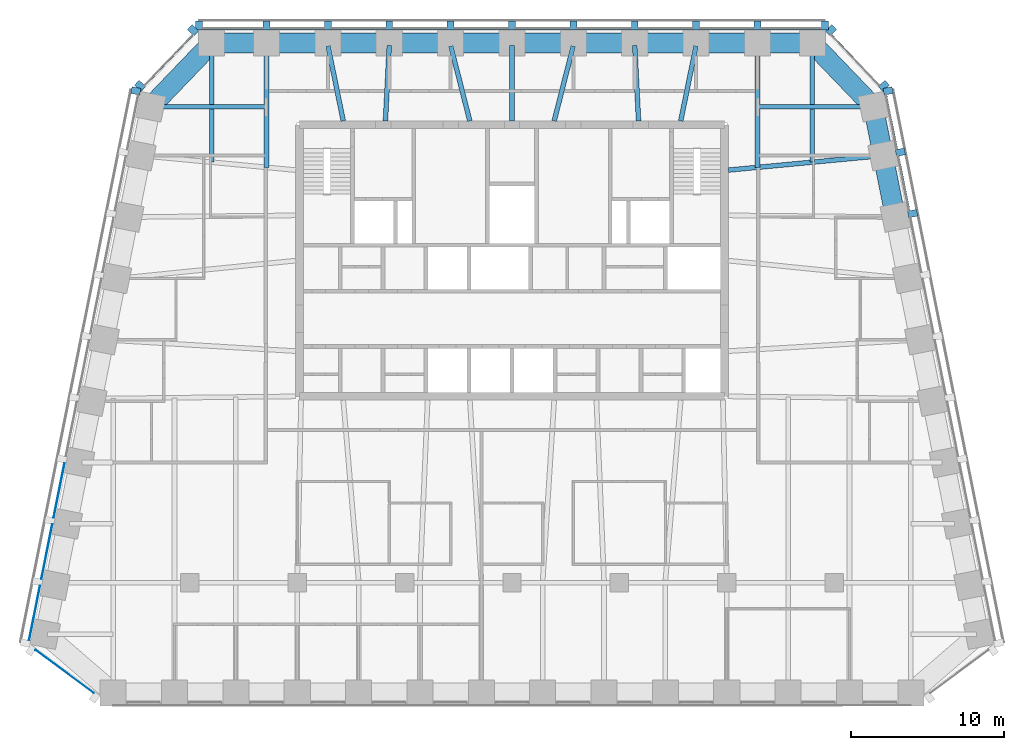
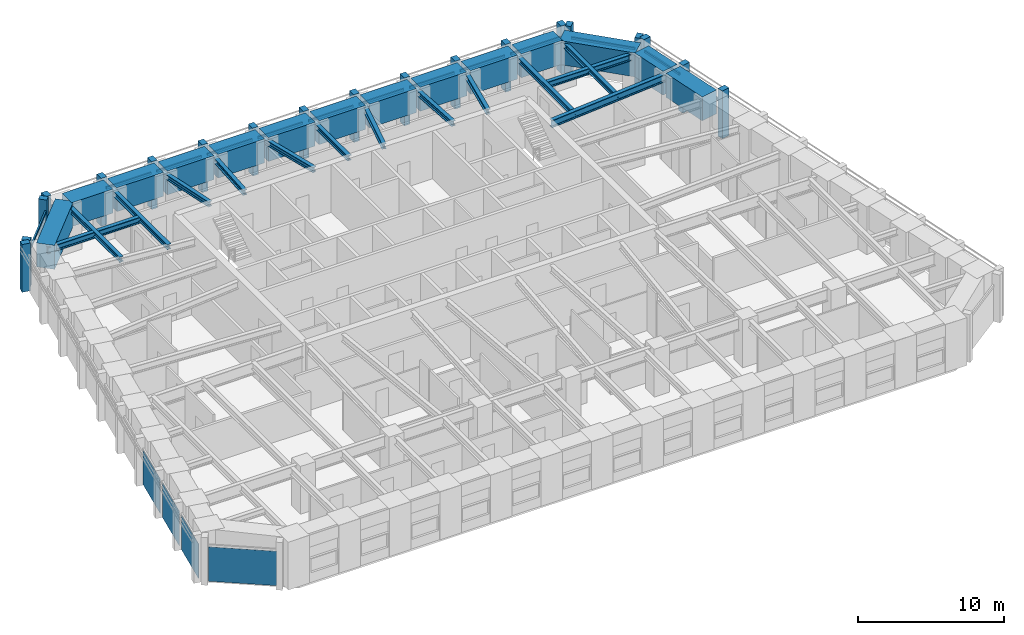
# One storey, part 3 of 11: 33 members, 28 beams, 4 plates, 6 elements without a shape of their own.
"""IFC4 building model written with IfcOpenShell, lengths in metres."""

import ifcopenshell
import ifcopenshell.guid

model = None  # the IFC model being written
_history = None  # IfcOwnerHistory: only IFC2X3 demands one
_inside = {}  # id of a spatial element -> (the spatial element, [elements in it])
_under = {}  # id of a project, library or spatial element -> (it, [spatial elements below it])
_declared = {}  # id of a project -> (the project, [libraries it declares])
_typed = {}  # id of a type object -> (the type object, [elements of that type])
_made_of = {}  # id of a material, layer set ... -> (it, [elements and type objects made of it])


def new_model(schema):
    """Start an empty IFC model of exactly this schema.

    Asked for "IFC4X3", IfcOpenShell would pick the latest addendum, in which some entities
    have other attributes; the version numbers below select the first issue.
    IFC2X3 requires an IfcOwnerHistory on every rooted entity: one is made here for all.
    """
    global model, _history
    if schema == "IFC4X3":
        model = ifcopenshell.file(schema_version=(4, 3, 0, 0))
    else:
        model = ifcopenshell.file(schema=schema)
    _inside.clear()
    _under.clear()
    _declared.clear()
    _typed.clear()
    _made_of.clear()
    _history = None
    if model.schema == "IFC2X3":
        org = make("IfcOrganization", Name="unknown")
        user = make(
            "IfcPersonAndOrganization",
            ThePerson=make("IfcPerson", FamilyName="unknown"),
            TheOrganization=org,
        )
        app = make(
            "IfcApplication",
            ApplicationDeveloper=org,
            Version="unknown",
            ApplicationFullName="unknown",
            ApplicationIdentifier="unknown",
        )
        _history = make(
            "IfcOwnerHistory",
            OwningUser=user,
            OwningApplication=app,
            ChangeAction="ADDED",
            CreationDate=0,
        )
    return model


def make(cls, **values):
    """One entity of the class cls with the attributes given. An attribute that is None is left unset."""
    return model.create_entity(
        cls, **{name: value for name, value in values.items() if value is not None}
    )


def rooted(cls, **values):
    """An entity with a GlobalId (a new one), such as an element, a storey or a relation."""
    return make(cls, GlobalId=ifcopenshell.guid.new(), OwnerHistory=_history, **values)


def si_unit(unit_type, name, prefix=None):
    """IfcSIUnit, for example si_unit("LENGTHUNIT", "METRE", prefix="MILLI")."""
    return make("IfcSIUnit", UnitType=unit_type, Prefix=prefix, Name=name)


def assignment(units):
    """IfcUnitAssignment: the units of a project."""
    return None if units is None else make("IfcUnitAssignment", Units=units)


def point(xyz):
    """IfcCartesianPoint."""
    return None if xyz is None else make("IfcCartesianPoint", Coordinates=xyz)


def direction(xyz):
    """IfcDirection."""
    return None if xyz is None else make("IfcDirection", DirectionRatios=xyz)


def frame(location, z_axis=None, x_axis=None):
    """IfcAxis2Placement3D, a coordinate frame: its origin and axes. An axis left out is left unset."""
    return make(
        "IfcAxis2Placement3D",
        Location=point(location),
        Axis=direction(z_axis),
        RefDirection=direction(x_axis),
    )


def frame_2d(location, x_axis=None):
    """IfcAxis2Placement2D, a coordinate frame in the plane: its origin and x axis."""
    return make(
        "IfcAxis2Placement2D", Location=point(location), RefDirection=direction(x_axis)
    )


def origin():
    """The frame at (0, 0, 0) with its axes left unset."""
    return frame((0.0, 0.0, 0.0))


def origin_2d():
    """The frame at (0, 0) in the plane with its x axis left unset."""
    return frame_2d((0.0, 0.0))


def place(relative_to, where):
    """IfcLocalPlacement: puts the frame where relative to a parent placement (None: the world)."""
    return make(
        "IfcLocalPlacement", PlacementRelTo=relative_to, RelativePlacement=where
    )


def context(
    kind, dimensions, precision=None, world=None, true_north=None, identifier=None
):
    """IfcGeometricRepresentationContext, for example the 3D "Model" context."""
    return make(
        "IfcGeometricRepresentationContext",
        ContextIdentifier=identifier,
        ContextType=kind,
        CoordinateSpaceDimension=dimensions,
        Precision=precision,
        WorldCoordinateSystem=world,
        TrueNorth=true_north,
    )


def subcontext(parent, identifier, kind, view, scale=None):
    """IfcGeometricRepresentationSubContext, for example "Body" below "Model"."""
    return make(
        "IfcGeometricRepresentationSubContext",
        ContextIdentifier=identifier,
        ContextType=kind,
        ParentContext=parent,
        TargetScale=scale,
        TargetView=view,
    )


def project(units=None, contexts=None):
    """IfcProject with its units and contexts."""
    return rooted(
        "IfcProject",
        Name="project",
        RepresentationContexts=contexts,
        UnitsInContext=assignment(units),
    )


def spatial(cls, under=None, at=None, **own):
    """A site, building, storey or space (cls), placed at a placement, below another one or the project."""
    s = rooted(cls, ObjectPlacement=at, **own)
    if under is not None:
        _under.setdefault(under.id(), (under, []))[1].append(s)
    return s


def profile(cls, at=None, kind="AREA", **sizes):
    """A parametric profile (cls). Its sizes go by their IFC names, for example OverallWidth=200.0."""
    return make(cls, ProfileType=kind, Position=at, **sizes)


def rectangle(**sizes):
    """IfcRectangleProfileDef."""
    return profile("IfcRectangleProfileDef", **sizes)


def i_section(**sizes):
    """IfcIShapeProfileDef."""
    return profile("IfcIShapeProfileDef", **sizes)


def extrude(swept, where, along, depth):
    """IfcExtrudedAreaSolid: the profile swept, set in the frame where, extruded along a direction by depth."""
    return make(
        "IfcExtrudedAreaSolid",
        SweptArea=swept,
        Position=where,
        ExtrudedDirection=direction(along),
        Depth=depth,
    )


def shape(context_of_items, identifier, shape_type, items):
    """IfcShapeRepresentation: the items that make up one representation, for example the "Body"."""
    return make(
        "IfcShapeRepresentation",
        ContextOfItems=context_of_items,
        RepresentationIdentifier=identifier,
        RepresentationType=shape_type,
        Items=items,
    )


def material(Name=None, Category=None):
    """IfcMaterial."""
    return make("IfcMaterial", Name=Name, Category=Category)


def layer(
    of_material, thickness, ventilated=None, Name=None, Category=None, Priority=None
):
    """IfcMaterialLayer: one layer of a wall or slab, of a material (None: an air gap)."""
    return make(
        "IfcMaterialLayer",
        Material=of_material,
        LayerThickness=thickness,
        IsVentilated=ventilated,
        Name=Name,
        Category=Category,
        Priority=Priority,
    )


def layer_set(layers, Name=None):
    """IfcMaterialLayerSet."""
    return make("IfcMaterialLayerSet", MaterialLayers=layers, LayerSetName=Name)


def material_profile(
    of_material, cross_section, Name=None, Category=None, Priority=None
):
    """IfcMaterialProfile: a cross section and its material."""
    return make(
        "IfcMaterialProfile",
        Name=Name,
        Material=of_material,
        Profile=cross_section,
        Priority=Priority,
        Category=Category,
    )


def profile_set(profiles, Name=None, composite=None):
    """IfcMaterialProfileSet."""
    return make(
        "IfcMaterialProfileSet",
        Name=Name,
        MaterialProfiles=profiles,
        CompositeProfile=composite,
    )


def made_of(thing, what):
    """Note that an element or type object is made of a material, layer set ...; save() writes the relation."""
    if what is not None:
        _made_of.setdefault(what.id(), (what, []))[1].append(thing)
    return thing


def type_object(cls, material=None, **own):
    """A type object (cls), such as IfcWallType, which elements share."""
    return made_of(rooted(cls, **own), material)


def element(
    cls,
    number,
    at=None,
    inside=None,
    cuts=None,
    type_object=None,
    material=None,
    context=None,
    identifier="Body",
    shape_type=None,
    held_by="IfcProductDefinitionShape",
    body=None,
    shapes=None,
    **own,
):
    """One element of the class cls, such as IfcWall. Its Tag is "e" and its number.

    at: its placement. inside: the storey or other place that contains it. cuts: it is an
    opening in that element (IfcRelVoidsElement). A single representation is given by context,
    identifier, shape_type and body (its items); several are given by shapes. held_by: the class
    of the entity that holds the representations. save() writes the other relations.
    """
    e = rooted(cls, Tag="e%d" % number, ObjectPlacement=at, **own)
    if body is not None:
        shapes = [shape(context, identifier, shape_type, body)]
    if shapes is not None:
        e.Representation = make(held_by, Representations=shapes)
    if inside is not None:
        _inside.setdefault(inside.id(), (inside, []))[1].append(e)
    if cuts is not None:
        rooted(
            "IfcRelVoidsElement", RelatingBuildingElement=cuts, RelatedOpeningElement=e
        )
    if type_object is not None:
        _typed.setdefault(type_object.id(), (type_object, []))[1].append(e)
    return made_of(e, material)


def aggregate(whole, parts):
    """IfcRelAggregates: a whole, such as a stair, and the parts it consists of."""
    return rooted("IfcRelAggregates", RelatingObject=whole, RelatedObjects=parts)


def save(model, path):
    """Write the relations noted so far, then the file.

    IfcRelAggregates (storeys below a building ...), IfcRelContainedInSpatialStructure (elements
    in a storey), IfcRelDefinesByType, IfcRelAssociatesMaterial and IfcRelDeclares: one each for
    every whole, place, type object, material and project.
    """
    for whole, parts in _under.values():
        aggregate(whole, parts)
    for where, things in _inside.values():
        rooted(
            "IfcRelContainedInSpatialStructure",
            RelatedElements=things,
            RelatingStructure=where,
        )
    for kind, things in _typed.values():
        rooted("IfcRelDefinesByType", RelatedObjects=things, RelatingType=kind)
    for what, things in _made_of.values():
        rooted("IfcRelAssociatesMaterial", RelatedObjects=things, RelatingMaterial=what)
    for by, libraries in _declared.values():
        rooted("IfcRelDeclares", RelatingContext=by, RelatedDefinitions=libraries)
    model.write(path)


model = new_model("IFC4")

# Units and contexts
model_context = context("Model", 3, precision=1e-05, world=origin(), true_north=direction((0.0, 1.0)))
body_context = subcontext(model_context, "Body", "Model", "MODEL_VIEW")
ifc_project = project(units=[si_unit("LENGTHUNIT", "METRE"), si_unit("AREAUNIT", "SQUARE_METRE"), si_unit("VOLUMEUNIT", "CUBIC_METRE"), si_unit("PLANEANGLEUNIT", "RADIAN"), si_unit("MASSUNIT", "GRAM", prefix="KILO")], contexts=[model_context])

# Site, building, storey
site_placement = place(None, origin())
site = spatial("IfcSite", under=ifc_project, at=site_placement, CompositionType="ELEMENT")
building_placement = place(site_placement, origin())
building = spatial("IfcBuilding", under=site, at=building_placement, Name="Isbrekke Arena Tower", CompositionType="ELEMENT")
storey_placement = place(building_placement, frame((0.0, 0.0, 264.0)))
storey = spatial("IfcBuildingStorey", under=building, at=storey_placement, Name="L61", CompositionType="ELEMENT", Elevation=264.0)

# Beams
ifc_material_1 = material(Name="Steel S355", Category="steel")
ifc_material_profile_1 = material_profile(ifc_material_1, i_section(OverallWidth=0.304931640625, OverallDepth=0.6201171875, WebThickness=0.02099609375, FlangeThickness=0.0400390625, FilletRadius=0.027099609375, at=origin_2d()), Name="HEM 600")
ifc_profile_set_1 = profile_set([ifc_material_profile_1], Name="Steel S355")
beam_type_1 = type_object("IfcBeamType", Name="B4 HEM 600", PredefinedType="BEAM", material=ifc_profile_set_1)
beam_1_placement = place(storey_placement, frame((24.02685546875, 21.8369140625, 3.5400390625), z_axis=(-0.995574576627, -0.093974796485, 0.0), x_axis=(0.093974796485, -0.995574576627, 0.0)))
element("IfcBeam", 1, at=beam_1_placement, inside=storey, type_object=beam_type_1, Name="B4 beam E-E09 L61", PredefinedType="BEAM", context=body_context, shape_type="SweptSolid", body=[
    extrude(i_section(OverallWidth=0.304931640625, OverallDepth=0.6201171875, WebThickness=0.02099609375, FlangeThickness=0.0400390625, FilletRadius=0.027099609375, at=origin_2d()), origin(), (0.0, 0.0, 1.0), 9.970947265625),
])
ifc_material_2 = material(Name="Steel S355", Category="steel")
ifc_material_profile_2 = material_profile(ifc_material_2, i_section(OverallWidth=0.305908203125, OverallDepth=0.52392578125, WebThickness=0.02099609375, FlangeThickness=0.0400390625, FilletRadius=0.027099609375, at=origin_2d()), Name="HEM 500")
ifc_profile_set_2 = profile_set([ifc_material_profile_2], Name="Steel S355")
beam_type_2 = type_object("IfcBeamType", Name="B5 HEM 500", PredefinedType="BEAM", material=ifc_profile_set_2)
for number, where, z_axis, x_axis, name in (
    (2, (23.40283203125, 25.029296875, 3.587890625), (-1.0, 0.0, 0.0), (0.0, -1.0, 0.0), "B5 beam E-E10 L61"),
    (3, (-23.40283203125, 25.029296875, 3.587890625), (1.0, 0.0, 0.0), (0.0, 1.0, 0.0), "B5 beam E-W01 L61"),
):
    element("IfcBeam", number, at=place(storey_placement, frame(where, z_axis=z_axis, x_axis=x_axis)), inside=storey, type_object=beam_type_2, Name=name, PredefinedType="BEAM", context=body_context, shape_type="SweptSolid", body=[
        extrude(i_section(OverallWidth=0.305908203125, OverallDepth=0.52392578125, WebThickness=0.02099609375, FlangeThickness=0.0400390625, FilletRadius=0.027099609375, at=origin_2d()), origin(), (0.0, 0.0, 1.0), 7.40283203125),
    ])
ifc_material_3 = material(Name="Steel S355", Category="steel")
ifc_material_profile_3 = material_profile(ifc_material_3, i_section(OverallWidth=0.306884765625, OverallDepth=0.431884765625, WebThickness=0.02099609375, FlangeThickness=0.0400390625, FilletRadius=0.027099609375, at=origin_2d()), Name="HEM 400")
ifc_profile_set_3 = profile_set([ifc_material_profile_3], Name="Steel S355")
beam_type_3 = type_object("IfcBeamType", Name="B6 HEM 400", PredefinedType="BEAM", material=ifc_profile_set_3)
beam_2_placement = place(storey_placement, frame((19.574951171875, 29.02490234375, 3.634033203125), z_axis=(0.0, -1.0, 0.0), x_axis=(1.0, 0.0, 0.0)))
element("IfcBeam", 4, at=beam_2_placement, inside=storey, type_object=beam_type_3, Name="B6 beam N-N01 L61", PredefinedType="BEAM", context=body_context, shape_type="SweptSolid", body=[
    extrude(i_section(OverallWidth=0.306884765625, OverallDepth=0.431884765625, WebThickness=0.02099609375, FlangeThickness=0.0400390625, FilletRadius=0.027099609375, at=origin_2d()), origin(), (0.0, 0.0, 1.0), 7.608154296875),
])
for number, where, z_axis, x_axis, name in (
    (5, (16.0, 29.02490234375, 3.634033203125), (0.0, -1.0, 0.0), (1.0, 0.0, 0.0), "B6 beam N-N02 L61"),
    (6, (-16.0, 29.02490234375, 3.634033203125), (0.0, -1.0, 0.0), (1.0, 0.0, 0.0), "B6 beam N-N10 L61"),
):
    element("IfcBeam", number, at=place(storey_placement, frame(where, z_axis=z_axis, x_axis=x_axis)), inside=storey, type_object=beam_type_3, Name=name, PredefinedType="BEAM", context=body_context, shape_type="SweptSolid", body=[
        extrude(i_section(OverallWidth=0.306884765625, OverallDepth=0.431884765625, WebThickness=0.02099609375, FlangeThickness=0.0400390625, FilletRadius=0.027099609375, at=origin_2d()), origin(), (0.0, 0.0, 1.0), 7.945556640625),
    ])
beam_3_placement = place(storey_placement, frame((-19.574951171875, 29.02490234375, 3.634033203125), z_axis=(0.0, -1.0, 0.0), x_axis=(1.0, 0.0, 0.0)))
element("IfcBeam", 7, at=beam_3_placement, inside=storey, type_object=beam_type_3, Name="B6 beam N-N11 L61", PredefinedType="BEAM", context=body_context, shape_type="SweptSolid", body=[
    extrude(i_section(OverallWidth=0.306884765625, OverallDepth=0.431884765625, WebThickness=0.02099609375, FlangeThickness=0.0400390625, FilletRadius=0.027099609375, at=origin_2d()), origin(), (0.0, 0.0, 1.0), 7.608154296875),
])
beam_4_placement = place(storey_placement, frame((11.993896484375, 28.9951171875, 3.634033203125), z_axis=(-0.198982177337, -0.980003108721, 0.0), x_axis=(0.980003108721, -0.198982177337, 0.0)))
element("IfcBeam", 8, at=beam_4_placement, inside=storey, type_object=beam_type_3, Name="B6 beam N-N03 L61", PredefinedType="BEAM", context=body_context, shape_type="SweptSolid", body=[
    extrude(i_section(OverallWidth=0.306884765625, OverallDepth=0.431884765625, WebThickness=0.02099609375, FlangeThickness=0.0400390625, FilletRadius=0.027099609375, at=origin_2d()), origin(), (0.0, 0.0, 1.0), 4.994873046875),
])
beam_5_placement = place(storey_placement, frame((8.00048828125, 29.017333984375, 3.634033203125), z_axis=(0.050677067868, -0.998715091902, 0.0), x_axis=(0.998715091902, 0.050677067868, 0.0)))
element("IfcBeam", 9, at=beam_5_placement, inside=storey, type_object=beam_type_3, Name="B6 beam N-N04 L61", PredefinedType="BEAM", context=body_context, shape_type="SweptSolid", body=[
    extrude(i_section(OverallWidth=0.306884765625, OverallDepth=0.431884765625, WebThickness=0.02099609375, FlangeThickness=0.0400390625, FilletRadius=0.027099609375, at=origin_2d()), origin(), (0.0, 0.0, 1.0), 4.923583984375),
])
beam_6_placement = place(storey_placement, frame((3.99072265625, 28.98828125, 3.634033203125), z_axis=(-0.246019579109, -0.969264858898, 0.0), x_axis=(0.969264858898, -0.246019579109, 0.0)))
element("IfcBeam", 10, at=beam_6_placement, inside=storey, type_object=beam_type_3, Name="B6 beam N-N05 L61", PredefinedType="BEAM", context=body_context, shape_type="SweptSolid", body=[
    extrude(i_section(OverallWidth=0.306884765625, OverallDepth=0.431884765625, WebThickness=0.02099609375, FlangeThickness=0.0400390625, FilletRadius=0.027099609375, at=origin_2d()), origin(), (0.0, 0.0, 1.0), 5.043212890625),
])
beam_7_placement = place(storey_placement, frame((0.0, 29.02490234375, 3.634033203125), z_axis=(0.0, -1.0, 0.0), x_axis=(1.0, 0.0, 0.0)))
element("IfcBeam", 11, at=beam_7_placement, inside=storey, type_object=beam_type_3, Name="B6 beam N-N06 L61", PredefinedType="BEAM", context=body_context, shape_type="SweptSolid", body=[
    extrude(i_section(OverallWidth=0.306884765625, OverallDepth=0.431884765625, WebThickness=0.02099609375, FlangeThickness=0.0400390625, FilletRadius=0.027099609375, at=origin_2d()), origin(), (0.0, 0.0, 1.0), 4.9248046875),
])
beam_8_placement = place(storey_placement, frame((-3.99072265625, 28.98828125, 3.634033203125), z_axis=(0.246019579109, -0.969264858898, 0.0), x_axis=(0.969264858898, 0.246019579109, 0.0)))
element("IfcBeam", 12, at=beam_8_placement, inside=storey, type_object=beam_type_3, Name="B6 beam N-N07 L61", PredefinedType="BEAM", context=body_context, shape_type="SweptSolid", body=[
    extrude(i_section(OverallWidth=0.306884765625, OverallDepth=0.431884765625, WebThickness=0.02099609375, FlangeThickness=0.0400390625, FilletRadius=0.027099609375, at=origin_2d()), origin(), (0.0, 0.0, 1.0), 5.043212890625),
])
beam_9_placement = place(storey_placement, frame((-8.00048828125, 29.017333984375, 3.634033203125), z_axis=(-0.050677067868, -0.998715091902, 0.0), x_axis=(0.998715091902, -0.050677067868, 0.0)))
element("IfcBeam", 13, at=beam_9_placement, inside=storey, type_object=beam_type_3, Name="B6 beam N-N08 L61", PredefinedType="BEAM", context=body_context, shape_type="SweptSolid", body=[
    extrude(i_section(OverallWidth=0.306884765625, OverallDepth=0.431884765625, WebThickness=0.02099609375, FlangeThickness=0.0400390625, FilletRadius=0.027099609375, at=origin_2d()), origin(), (0.0, 0.0, 1.0), 4.923583984375),
])
beam_10_placement = place(storey_placement, frame((-11.993896484375, 28.9951171875, 3.634033203125), z_axis=(0.198982177337, -0.980003108721, 0.0), x_axis=(0.980003108721, 0.198982177337, 0.0)))
element("IfcBeam", 14, at=beam_10_placement, inside=storey, type_object=beam_type_3, Name="B6 beam N-N09 L61", PredefinedType="BEAM", context=body_context, shape_type="SweptSolid", body=[
    extrude(i_section(OverallWidth=0.306884765625, OverallDepth=0.431884765625, WebThickness=0.02099609375, FlangeThickness=0.0400390625, FilletRadius=0.027099609375, at=origin_2d()), origin(), (0.0, 0.0, 1.0), 4.994873046875),
])

# Curtain wall, members
ifc_material_4 = material(Name="Glazed aluminium curtain wall", Category="aluminium")
curtain_wall_type = type_object("IfcCurtainWallType", Name="CWT TOWER CURTAIN WALL TOP ZONE", PredefinedType="USERDEFINED", material=ifc_material_4)
curtain_wall_1_placement = place(storey_placement, origin())
curtain_wall_1 = element("IfcCurtainWall", 15, at=curtain_wall_1_placement, inside=storey, type_object=curtain_wall_type, Name="CWT curtain wall L61-E", ObjectType="TOWER CURTAIN WALL TOP ZONE", PredefinedType="USERDEFINED")
ifc_material_5 = material(Name="Copper-clad aluminium mullion", Category="aluminium")
ifc_material_profile_4 = material_profile(ifc_material_5, rectangle(XDim=0.449951171875, YDim=0.60009765625, at=origin_2d()), Name="PIER 450X600")
ifc_profile_set_4 = profile_set([ifc_material_profile_4], Name="Copper-clad aluminium mullion")
member_type_1 = type_object("IfcMemberType", Name="CWT-M PIER MULLION 450 x 600", PredefinedType="MULLION", material=ifc_profile_set_4)
member_1_placement = place(storey_placement, frame((26.11865234375, 18.063720703125, 0.0), z_axis=(0.0, 0.0, 1.0), x_axis=(-0.196116135138, 0.980580675691, 0.0)))
member_1 = element("IfcMember", 16, at=member_1_placement, type_object=member_type_1, Name="CWT-M mullion 8", PredefinedType="MULLION", context=body_context, shape_type="SweptSolid", body=[
    extrude(rectangle(XDim=0.449951171875, YDim=0.60009765625, at=origin_2d()), origin(), (0.0, 0.0, 1.0), 4.0),
])
member_2_placement = place(storey_placement, frame((25.318603515625, 22.063720703125, 0.0), z_axis=(0.0, 0.0, 1.0), x_axis=(-0.196116135138, 0.980580675691, 0.0)))
member_2 = element("IfcMember", 17, at=member_2_placement, type_object=member_type_1, Name="CWT-M mullion 9", PredefinedType="MULLION", context=body_context, shape_type="SweptSolid", body=[
    extrude(rectangle(XDim=0.449951171875, YDim=0.60009765625, at=origin_2d()), origin(), (0.0, 0.0, 1.0), 4.0),
])
member_3_placement = place(storey_placement, frame((24.518798828125, 26.063720703125, 0.0), z_axis=(0.0, 0.0, 1.0), x_axis=(-0.196116135138, 0.980580675691, 0.0)))
member_3 = element("IfcMember", 18, at=member_3_placement, type_object=member_type_1, Name="CWT-M mullion 10", PredefinedType="MULLION", context=body_context, shape_type="SweptSolid", body=[
    extrude(rectangle(XDim=0.449951171875, YDim=0.60009765625, at=origin_2d()), origin(), (0.0, 0.0, 1.0), 4.0),
])

curtain_wall_2_placement = place(storey_placement, origin())
curtain_wall_2 = element("IfcCurtainWall", 19, at=curtain_wall_2_placement, inside=storey, type_object=curtain_wall_type, Name="CWT curtain wall L61-EN", ObjectType="TOWER CURTAIN WALL TOP ZONE", PredefinedType="USERDEFINED")
member_4_placement = place(storey_placement, frame((24.244384765625, 26.388671875, 0.0), z_axis=(0.0, 0.0, 1.0), x_axis=(-0.68874946192, 0.72499943359, 0.0)))
member_4 = element("IfcMember", 20, at=member_4_placement, type_object=member_type_1, Name="CWT-M mullion 1", PredefinedType="MULLION", context=body_context, shape_type="SweptSolid", body=[
    extrude(rectangle(XDim=0.449951171875, YDim=0.60009765625, at=origin_2d()), origin(), (0.0, 0.0, 1.0), 4.0),
])
member_5_placement = place(storey_placement, frame((20.795166015625, 30.019775390625, 0.0), z_axis=(0.0, 0.0, 1.0), x_axis=(-0.68874946192, 0.72499943359, 0.0)))
member_5 = element("IfcMember", 21, at=member_5_placement, type_object=member_type_1, Name="CWT-M mullion 2", PredefinedType="MULLION", context=body_context, shape_type="SweptSolid", body=[
    extrude(rectangle(XDim=0.449951171875, YDim=0.60009765625, at=origin_2d()), origin(), (0.0, 0.0, 1.0), 4.0),
])

curtain_wall_3_placement = place(storey_placement, origin())
curtain_wall_3 = element("IfcCurtainWall", 22, at=curtain_wall_3_placement, inside=storey, type_object=curtain_wall_type, Name="CWT curtain wall L61-N", ObjectType="TOWER CURTAIN WALL TOP ZONE", PredefinedType="USERDEFINED")
member_6_placement = place(storey_placement, frame((20.39990234375, 30.324951171875, 0.0), z_axis=(0.0, 0.0, 1.0), x_axis=(-1.0, 0.0, 0.0)))
member_6 = element("IfcMember", 23, at=member_6_placement, type_object=member_type_1, Name="CWT-M mullion 1", PredefinedType="MULLION", context=body_context, shape_type="SweptSolid", body=[
    extrude(rectangle(XDim=0.449951171875, YDim=0.60009765625, at=origin_2d()), origin(), (0.0, 0.0, 1.0), 4.0),
])
member_7_placement = place(storey_placement, frame((16.0, 30.324951171875, 0.0), z_axis=(0.0, 0.0, 1.0), x_axis=(-1.0, 0.0, 0.0)))
member_7 = element("IfcMember", 24, at=member_7_placement, type_object=member_type_1, Name="CWT-M mullion 2", PredefinedType="MULLION", context=body_context, shape_type="SweptSolid", body=[
    extrude(rectangle(XDim=0.449951171875, YDim=0.60009765625, at=origin_2d()), origin(), (0.0, 0.0, 1.0), 4.0),
])
member_8_placement = place(storey_placement, frame((12.0, 30.324951171875, 0.0), z_axis=(0.0, 0.0, 1.0), x_axis=(-1.0, 0.0, 0.0)))
member_8 = element("IfcMember", 25, at=member_8_placement, type_object=member_type_1, Name="CWT-M mullion 3", PredefinedType="MULLION", context=body_context, shape_type="SweptSolid", body=[
    extrude(rectangle(XDim=0.449951171875, YDim=0.60009765625, at=origin_2d()), origin(), (0.0, 0.0, 1.0), 4.0),
])
member_9_placement = place(storey_placement, frame((8.0, 30.324951171875, 0.0), z_axis=(0.0, 0.0, 1.0), x_axis=(-1.0, 0.0, 0.0)))
member_9 = element("IfcMember", 26, at=member_9_placement, type_object=member_type_1, Name="CWT-M mullion 4", PredefinedType="MULLION", context=body_context, shape_type="SweptSolid", body=[
    extrude(rectangle(XDim=0.449951171875, YDim=0.60009765625, at=origin_2d()), origin(), (0.0, 0.0, 1.0), 4.0),
])
member_10_placement = place(storey_placement, frame((4.0, 30.324951171875, 0.0), z_axis=(0.0, 0.0, 1.0), x_axis=(-1.0, 0.0, 0.0)))
member_10 = element("IfcMember", 27, at=member_10_placement, type_object=member_type_1, Name="CWT-M mullion 5", PredefinedType="MULLION", context=body_context, shape_type="SweptSolid", body=[
    extrude(rectangle(XDim=0.449951171875, YDim=0.60009765625, at=origin_2d()), origin(), (0.0, 0.0, 1.0), 4.0),
])
member_11_placement = place(storey_placement, frame((0.0, 30.324951171875, 0.0), z_axis=(0.0, 0.0, 1.0), x_axis=(-1.0, 0.0, 0.0)))
member_11 = element("IfcMember", 28, at=member_11_placement, type_object=member_type_1, Name="CWT-M mullion 6", PredefinedType="MULLION", context=body_context, shape_type="SweptSolid", body=[
    extrude(rectangle(XDim=0.449951171875, YDim=0.60009765625, at=origin_2d()), origin(), (0.0, 0.0, 1.0), 4.0),
])
member_12_placement = place(storey_placement, frame((-4.0, 30.324951171875, 0.0), z_axis=(0.0, 0.0, 1.0), x_axis=(-1.0, 0.0, 0.0)))
member_12 = element("IfcMember", 29, at=member_12_placement, type_object=member_type_1, Name="CWT-M mullion 7", PredefinedType="MULLION", context=body_context, shape_type="SweptSolid", body=[
    extrude(rectangle(XDim=0.449951171875, YDim=0.60009765625, at=origin_2d()), origin(), (0.0, 0.0, 1.0), 4.0),
])
member_13_placement = place(storey_placement, frame((-8.0, 30.324951171875, 0.0), z_axis=(0.0, 0.0, 1.0), x_axis=(-1.0, 0.0, 0.0)))
member_13 = element("IfcMember", 30, at=member_13_placement, type_object=member_type_1, Name="CWT-M mullion 8", PredefinedType="MULLION", context=body_context, shape_type="SweptSolid", body=[
    extrude(rectangle(XDim=0.449951171875, YDim=0.60009765625, at=origin_2d()), origin(), (0.0, 0.0, 1.0), 4.0),
])
member_14_placement = place(storey_placement, frame((-12.0, 30.324951171875, 0.0), z_axis=(0.0, 0.0, 1.0), x_axis=(-1.0, 0.0, 0.0)))
member_14 = element("IfcMember", 31, at=member_14_placement, type_object=member_type_1, Name="CWT-M mullion 9", PredefinedType="MULLION", context=body_context, shape_type="SweptSolid", body=[
    extrude(rectangle(XDim=0.449951171875, YDim=0.60009765625, at=origin_2d()), origin(), (0.0, 0.0, 1.0), 4.0),
])
member_15_placement = place(storey_placement, frame((-16.0, 30.324951171875, 0.0), z_axis=(0.0, 0.0, 1.0), x_axis=(-1.0, 0.0, 0.0)))
member_15 = element("IfcMember", 32, at=member_15_placement, type_object=member_type_1, Name="CWT-M mullion 10", PredefinedType="MULLION", context=body_context, shape_type="SweptSolid", body=[
    extrude(rectangle(XDim=0.449951171875, YDim=0.60009765625, at=origin_2d()), origin(), (0.0, 0.0, 1.0), 4.0),
])
member_16_placement = place(storey_placement, frame((-20.39990234375, 30.324951171875, 0.0), z_axis=(0.0, 0.0, 1.0), x_axis=(-1.0, 0.0, 0.0)))
member_16 = element("IfcMember", 33, at=member_16_placement, type_object=member_type_1, Name="CWT-M mullion 11", PredefinedType="MULLION", context=body_context, shape_type="SweptSolid", body=[
    extrude(rectangle(XDim=0.449951171875, YDim=0.60009765625, at=origin_2d()), origin(), (0.0, 0.0, 1.0), 4.0),
])

curtain_wall_4_placement = place(storey_placement, origin())
curtain_wall_4 = element("IfcCurtainWall", 34, at=curtain_wall_4_placement, inside=storey, type_object=curtain_wall_type, Name="CWT curtain wall L61-NW", ObjectType="TOWER CURTAIN WALL TOP ZONE", PredefinedType="USERDEFINED")
member_17_placement = place(storey_placement, frame((-20.795166015625, 30.01953125, 0.0), z_axis=(0.0, 0.0, 1.0), x_axis=(-0.68874946192, -0.72499943359, 0.0)))
member_17 = element("IfcMember", 35, at=member_17_placement, type_object=member_type_1, Name="CWT-M mullion 1", PredefinedType="MULLION", context=body_context, shape_type="SweptSolid", body=[
    extrude(rectangle(XDim=0.449951171875, YDim=0.60009765625, at=origin_2d()), origin(), (0.0, 0.0, 1.0), 4.0),
])
member_18_placement = place(storey_placement, frame((-24.243896484375, 26.389404296875, 0.0), z_axis=(0.0, 0.0, 1.0), x_axis=(-0.68874946192, -0.72499943359, 0.0)))
member_18 = element("IfcMember", 36, at=member_18_placement, type_object=member_type_1, Name="CWT-M mullion 2", PredefinedType="MULLION", context=body_context, shape_type="SweptSolid", body=[
    extrude(rectangle(XDim=0.449951171875, YDim=0.60009765625, at=origin_2d()), origin(), (0.0, 0.0, 1.0), 4.0),
])

# Curtain wall, member
curtain_wall_5_placement = place(storey_placement, origin())
curtain_wall_5 = element("IfcCurtainWall", 37, at=curtain_wall_5_placement, inside=storey, type_object=curtain_wall_type, Name="CWT curtain wall L61-W", ObjectType="TOWER CURTAIN WALL TOP ZONE", PredefinedType="USERDEFINED")
member_19_placement = place(storey_placement, frame((-24.518798828125, 26.063720703125, 0.0), z_axis=(0.0, 0.0, 1.0), x_axis=(-0.196116135138, -0.980580675691, 0.0)))
member_19 = element("IfcMember", 38, at=member_19_placement, type_object=member_type_1, Name="CWT-M mullion 1", PredefinedType="MULLION", context=body_context, shape_type="SweptSolid", body=[
    extrude(rectangle(XDim=0.449951171875, YDim=0.60009765625, at=origin_2d()), origin(), (0.0, 0.0, 1.0), 4.0),
])

# Member
ifc_material_6 = material(Name="Aluminium transom", Category="aluminium")
ifc_material_profile_5 = material_profile(ifc_material_6, rectangle(XDim=0.1201171875, YDim=0.199951171875, at=origin_2d()), Name="TRANSOM 120X200")
ifc_profile_set_5 = profile_set([ifc_material_profile_5], Name="Aluminium transom")
member_type_2 = type_object("IfcMemberType", Name="CWT-T TRANSOM 120 x 200", PredefinedType="USERDEFINED", material=ifc_profile_set_5)
member_20_placement = place(storey_placement, frame((25.87841796875, 18.2451171875, 3.0), z_axis=(-0.196090262229, 0.980585849918, 0.0), x_axis=(-0.980585849918, -0.196090262229, 0.0)))
member_20 = element("IfcMember", 39, at=member_20_placement, type_object=member_type_2, Name="CWT-T transom 8", ObjectType="TRANSOM", PredefinedType="USERDEFINED", context=body_context, shape_type="SweptSolid", body=[
    extrude(rectangle(XDim=0.1201171875, YDim=0.199951171875, at=origin_2d()), origin(), (0.0, 0.0, 1.0), 3.62939453125),
])

member_21_placement = place(storey_placement, frame((25.078369140625, 22.2451171875, 3.0), z_axis=(-0.196090262229, 0.980585849918, 0.0), x_axis=(-0.980585849918, -0.196090262229, 0.0)))
member_21 = element("IfcMember", 40, at=member_21_placement, type_object=member_type_2, Name="CWT-T transom 9", ObjectType="TRANSOM", PredefinedType="USERDEFINED", context=body_context, shape_type="SweptSolid", body=[
    extrude(rectangle(XDim=0.1201171875, YDim=0.199951171875, at=origin_2d()), origin(), (0.0, 0.0, 1.0), 3.62939453125),
])

aggregate(curtain_wall_1, [member_1, member_2, member_3, member_20, member_21])

member_22_placement = place(storey_placement, frame((23.944580078125, 26.4140625, 3.0), z_axis=(-0.688771983213, 0.724978037696, 0.0), x_axis=(-0.724978037696, -0.688771983213, 0.0)))
member_22 = element("IfcMember", 41, at=member_22_placement, type_object=member_type_2, Name="CWT-T transom 1", ObjectType="TRANSOM", PredefinedType="USERDEFINED", context=body_context, shape_type="SweptSolid", body=[
    extrude(rectangle(XDim=0.1201171875, YDim=0.199951171875, at=origin_2d()), origin(), (0.0, 0.0, 1.0), 4.558349609375),
])

aggregate(curtain_wall_2, [member_4, member_5, member_22])

member_23_placement = place(storey_placement, frame((20.175048828125, 30.125, 3.0), z_axis=(-1.0, 0.0, 0.0), x_axis=(0.0, -1.0, 0.0)))
member_23 = element("IfcMember", 42, at=member_23_placement, type_object=member_type_2, Name="CWT-T transom 1", ObjectType="TRANSOM", PredefinedType="USERDEFINED", context=body_context, shape_type="SweptSolid", body=[
    extrude(rectangle(XDim=0.1201171875, YDim=0.199951171875, at=origin_2d()), origin(), (0.0, 0.0, 1.0), 3.949951171875),
])

member_24_placement = place(storey_placement, frame((15.77490234375, 30.125, 3.0), z_axis=(-1.0, 0.0, 0.0), x_axis=(0.0, -1.0, 0.0)))
member_24 = element("IfcMember", 43, at=member_24_placement, type_object=member_type_2, Name="CWT-T transom 2", ObjectType="TRANSOM", PredefinedType="USERDEFINED", context=body_context, shape_type="SweptSolid", body=[
    extrude(rectangle(XDim=0.1201171875, YDim=0.199951171875, at=origin_2d()), origin(), (0.0, 0.0, 1.0), 3.5498046875),
])

member_25_placement = place(storey_placement, frame((11.77490234375, 30.125, 3.0), z_axis=(-1.0, 0.0, 0.0), x_axis=(0.0, -1.0, 0.0)))
member_25 = element("IfcMember", 44, at=member_25_placement, type_object=member_type_2, Name="CWT-T transom 3", ObjectType="TRANSOM", PredefinedType="USERDEFINED", context=body_context, shape_type="SweptSolid", body=[
    extrude(rectangle(XDim=0.1201171875, YDim=0.199951171875, at=origin_2d()), origin(), (0.0, 0.0, 1.0), 3.5498046875),
])

member_26_placement = place(storey_placement, frame((7.77490234375, 30.125, 3.0), z_axis=(-1.0, 0.0, 0.0), x_axis=(0.0, -1.0, 0.0)))
member_26 = element("IfcMember", 45, at=member_26_placement, type_object=member_type_2, Name="CWT-T transom 4", ObjectType="TRANSOM", PredefinedType="USERDEFINED", context=body_context, shape_type="SweptSolid", body=[
    extrude(rectangle(XDim=0.1201171875, YDim=0.199951171875, at=origin_2d()), origin(), (0.0, 0.0, 1.0), 3.5498046875),
])

member_27_placement = place(storey_placement, frame((3.77490234375, 30.125, 3.0), z_axis=(-1.0, 0.0, 0.0), x_axis=(0.0, -1.0, 0.0)))
member_27 = element("IfcMember", 46, at=member_27_placement, type_object=member_type_2, Name="CWT-T transom 5", ObjectType="TRANSOM", PredefinedType="USERDEFINED", context=body_context, shape_type="SweptSolid", body=[
    extrude(rectangle(XDim=0.1201171875, YDim=0.199951171875, at=origin_2d()), origin(), (0.0, 0.0, 1.0), 3.5498046875),
])

member_28_placement = place(storey_placement, frame((-0.22509765625, 30.125, 3.0), z_axis=(-1.0, 0.0, 0.0), x_axis=(0.0, -1.0, 0.0)))
member_28 = element("IfcMember", 47, at=member_28_placement, type_object=member_type_2, Name="CWT-T transom 6", ObjectType="TRANSOM", PredefinedType="USERDEFINED", context=body_context, shape_type="SweptSolid", body=[
    extrude(rectangle(XDim=0.1201171875, YDim=0.199951171875, at=origin_2d()), origin(), (0.0, 0.0, 1.0), 3.5498046875),
])

member_29_placement = place(storey_placement, frame((-4.22509765625, 30.125, 3.0), z_axis=(-1.0, 0.0, 0.0), x_axis=(0.0, -1.0, 0.0)))
member_29 = element("IfcMember", 48, at=member_29_placement, type_object=member_type_2, Name="CWT-T transom 7", ObjectType="TRANSOM", PredefinedType="USERDEFINED", context=body_context, shape_type="SweptSolid", body=[
    extrude(rectangle(XDim=0.1201171875, YDim=0.199951171875, at=origin_2d()), origin(), (0.0, 0.0, 1.0), 3.5498046875),
])

member_30_placement = place(storey_placement, frame((-8.22509765625, 30.125, 3.0), z_axis=(-1.0, 0.0, 0.0), x_axis=(0.0, -1.0, 0.0)))
member_30 = element("IfcMember", 49, at=member_30_placement, type_object=member_type_2, Name="CWT-T transom 8", ObjectType="TRANSOM", PredefinedType="USERDEFINED", context=body_context, shape_type="SweptSolid", body=[
    extrude(rectangle(XDim=0.1201171875, YDim=0.199951171875, at=origin_2d()), origin(), (0.0, 0.0, 1.0), 3.5498046875),
])

member_31_placement = place(storey_placement, frame((-12.22509765625, 30.125, 3.0), z_axis=(-1.0, 0.0, 0.0), x_axis=(0.0, -1.0, 0.0)))
member_31 = element("IfcMember", 50, at=member_31_placement, type_object=member_type_2, Name="CWT-T transom 9", ObjectType="TRANSOM", PredefinedType="USERDEFINED", context=body_context, shape_type="SweptSolid", body=[
    extrude(rectangle(XDim=0.1201171875, YDim=0.199951171875, at=origin_2d()), origin(), (0.0, 0.0, 1.0), 3.5498046875),
])

member_32_placement = place(storey_placement, frame((-16.22509765625, 30.125, 3.0), z_axis=(-1.0, 0.0, 0.0), x_axis=(0.0, -1.0, 0.0)))
member_32 = element("IfcMember", 51, at=member_32_placement, type_object=member_type_2, Name="CWT-T transom 10", ObjectType="TRANSOM", PredefinedType="USERDEFINED", context=body_context, shape_type="SweptSolid", body=[
    extrude(rectangle(XDim=0.1201171875, YDim=0.199951171875, at=origin_2d()), origin(), (0.0, 0.0, 1.0), 3.949951171875),
])

aggregate(curtain_wall_3, [member_6, member_7, member_8, member_9, member_10, member_11, member_12, member_13, member_14, member_15, member_16, member_23, member_24, member_25, member_26, member_27, member_28, member_29, member_30, member_31, member_32])

member_33_placement = place(storey_placement, frame((-20.80517578125, 29.71875, 3.0), z_axis=(-0.688739606035, -0.725008796552, 0.0), x_axis=(0.725008796552, -0.688739606035, 0.0)))
member_33 = element("IfcMember", 52, at=member_33_placement, type_object=member_type_2, Name="CWT-T transom 1", ObjectType="TRANSOM", PredefinedType="USERDEFINED", context=body_context, shape_type="SweptSolid", body=[
    extrude(rectangle(XDim=0.1201171875, YDim=0.199951171875, at=origin_2d()), origin(), (0.0, 0.0, 1.0), 4.55712890625),
])

aggregate(curtain_wall_4, [member_17, member_18, member_33])

# Beams
ifc_material_7 = material(Name="Concrete B55 (C55/67)", Category="concrete")
ifc_material_profile_6 = material_profile(ifc_material_7, rectangle(XDim=1.300048828125, YDim=2.0, at=origin_2d()), Name="RC 1300x2000")
ifc_profile_set_6 = profile_set([ifc_material_profile_6], Name="Concrete B55 (C55/67)")
beam_type_4 = type_object("IfcBeamType", Name="SB4 RC 1300 x 2000", PredefinedType="SPANDREL", material=ifc_profile_set_6)
beam_11_placement = place(storey_placement, frame((24.961669921875, 17.9853515625, 3.0), z_axis=(-0.196128558387, 0.980578190959, 0.0), x_axis=(-0.980578190959, -0.196128558387, 0.0)))
element("IfcBeam", 53, at=beam_11_placement, inside=storey, type_object=beam_type_4, Name="SB4 spandrel E08-E09 L61", PredefinedType="SPANDREL", context=body_context, shape_type="SweptSolid", body=[
    extrude(rectangle(XDim=1.300048828125, YDim=2.0, at=origin_2d()), origin(), (0.0, 0.0, 1.0), 3.779296875),
])
beam_12_placement = place(storey_placement, frame((24.16162109375, 21.9853515625, 3.0), z_axis=(-0.196116135138, 0.980580675691, 0.0), x_axis=(-0.980580675691, -0.196116135138, 0.0)))
element("IfcBeam", 54, at=beam_12_placement, inside=storey, type_object=beam_type_4, Name="SB4 spandrel E09-E10 L61", PredefinedType="SPANDREL", context=body_context, shape_type="SweptSolid", body=[
    extrude(rectangle(XDim=1.300048828125, YDim=2.0, at=origin_2d()), origin(), (0.0, 0.0, 1.0), 2.9541015625),
])
beam_13_placement = place(storey_placement, frame((23.448974609375, 25.137451171875, 3.0), z_axis=(-0.692339547635, 0.721571861134, 0.0), x_axis=(-0.721571861134, -0.692339547635, 0.0)))
element("IfcBeam", 55, at=beam_13_placement, inside=storey, type_object=beam_type_4, Name="SB4 spandrel E10-N01 L61", PredefinedType="SPANDREL", context=body_context, shape_type="SweptSolid", body=[
    extrude(rectangle(XDim=1.300048828125, YDim=2.0, at=origin_2d()), origin(), (0.0, 0.0, 1.0), 5.4453125),
])
beam_14_placement = place(storey_placement, frame((19.425048828125, 29.175048828125, 3.0), z_axis=(-1.0, 0.0, 0.0), x_axis=(0.0, -1.0, 0.0)))
element("IfcBeam", 56, at=beam_14_placement, inside=storey, type_object=beam_type_4, Name="SB4 spandrel N01-N02 L61", PredefinedType="SPANDREL", context=body_context, shape_type="SweptSolid", body=[
    extrude(rectangle(XDim=1.300048828125, YDim=2.0, at=origin_2d()), origin(), (0.0, 0.0, 1.0), 3.275146484375),
])
for number, where, z_axis, x_axis, name in (
    (57, (15.85009765625, 29.175048828125, 3.0), (-1.0, 0.0, 0.0), (0.0, -1.0, 0.0), "SB4 spandrel N02-N03 L61"),
    (58, (11.85009765625, 29.175048828125, 3.0), (-1.0, 0.0, 0.0), (0.0, -1.0, 0.0), "SB4 spandrel N03-N04 L61"),
    (59, (7.85009765625, 29.175048828125, 3.0), (-1.0, 0.0, 0.0), (0.0, -1.0, 0.0), "SB4 spandrel N04-N05 L61"),
    (60, (3.85009765625, 29.175048828125, 3.0), (-1.0, 0.0, 0.0), (0.0, -1.0, 0.0), "SB4 spandrel N05-N06 L61"),
    (61, (-0.14990234375, 29.175048828125, 3.0), (-1.0, 0.0, 0.0), (0.0, -1.0, 0.0), "SB4 spandrel N06-N07 L61"),
    (62, (-4.14990234375, 29.175048828125, 3.0), (-1.0, 0.0, 0.0), (0.0, -1.0, 0.0), "SB4 spandrel N07-N08 L61"),
    (63, (-8.14990234375, 29.175048828125, 3.0), (-1.0, 0.0, 0.0), (0.0, -1.0, 0.0), "SB4 spandrel N08-N09 L61"),
    (64, (-12.14990234375, 29.175048828125, 3.0), (-1.0, 0.0, 0.0), (0.0, -1.0, 0.0), "SB4 spandrel N09-N10 L61"),
):
    element("IfcBeam", number, at=place(storey_placement, frame(where, z_axis=z_axis, x_axis=x_axis)), inside=storey, type_object=beam_type_4, Name=name, PredefinedType="SPANDREL", context=body_context, shape_type="SweptSolid", body=[
        extrude(rectangle(XDim=1.300048828125, YDim=2.0, at=origin_2d()), origin(), (0.0, 0.0, 1.0), 3.7001953125),
    ])
beam_15_placement = place(storey_placement, frame((-16.14990234375, 29.175048828125, 3.0), z_axis=(-1.0, 0.0, 0.0), x_axis=(0.0, -1.0, 0.0)))
element("IfcBeam", 65, at=beam_15_placement, inside=storey, type_object=beam_type_4, Name="SB4 spandrel N10-N11 L61", PredefinedType="SPANDREL", context=body_context, shape_type="SweptSolid", body=[
    extrude(rectangle(XDim=1.300048828125, YDim=2.0, at=origin_2d()), origin(), (0.0, 0.0, 1.0), 3.275146484375),
])
beam_16_placement = place(storey_placement, frame((-19.678955078125, 29.066650390625, 3.0), z_axis=(-0.692339547635, -0.721571861134, 0.0), x_axis=(0.721571861134, -0.692339547635, 0.0)))
element("IfcBeam", 66, at=beam_16_placement, inside=storey, type_object=beam_type_4, Name="SB4 spandrel N11-W01 L61", PredefinedType="SPANDREL", context=body_context, shape_type="SweptSolid", body=[
    extrude(rectangle(XDim=1.300048828125, YDim=2.0, at=origin_2d()), origin(), (0.0, 0.0, 1.0), 5.4453125),
])

# Plate
ifc_material_8 = material(Name="Triple-glazed clear glass unit", Category="glass")
ifc_layer = layer(ifc_material_8, 0.031982421875)
ifc_layer_set = layer_set([ifc_layer], Name="CWT-P VISION PANEL")
plate_type = type_object("IfcPlateType", Name="CWT-P VISION PANEL", PredefinedType="CURTAIN_PANEL", material=ifc_layer_set)
plate_1_placement = place(storey_placement, frame((-29.5224609375, 0.0244140625, 0.02001953125), z_axis=(0.0, 0.0, 1.0), x_axis=(-0.196116135138, -0.980580675691, 0.0)))
plate_1 = element("IfcPlate", 67, at=plate_1_placement, type_object=plate_type, Name="CWT-P panel 7", PredefinedType="CURTAIN_PANEL", context=body_context, shape_type="SweptSolid", body=[
    extrude(rectangle(XDim=3.629150390625, YDim=0.031982421875, at=origin_2d()), origin(), (0.0, 0.0, 1.0), 2.8798828125),
])

plate_2_placement = place(storey_placement, frame((-30.322509765625, -3.9755859375, 0.02001953125), z_axis=(0.0, 0.0, 1.0), x_axis=(-0.196116135138, -0.980580675691, 0.0)))
plate_2 = element("IfcPlate", 68, at=plate_2_placement, type_object=plate_type, Name="CWT-P panel 8", PredefinedType="CURTAIN_PANEL", context=body_context, shape_type="SweptSolid", body=[
    extrude(rectangle(XDim=3.629150390625, YDim=0.031982421875, at=origin_2d()), origin(), (0.0, 0.0, 1.0), 2.8798828125),
])

plate_3_placement = place(storey_placement, frame((-31.12255859375, -7.9755859375, 0.02001953125), z_axis=(0.0, 0.0, 1.0), x_axis=(-0.196116135138, -0.980580675691, 0.0)))
plate_3 = element("IfcPlate", 69, at=plate_3_placement, type_object=plate_type, Name="CWT-P panel 9", PredefinedType="CURTAIN_PANEL", context=body_context, shape_type="SweptSolid", body=[
    extrude(rectangle(XDim=3.629150390625, YDim=0.031982421875, at=origin_2d()), origin(), (0.0, 0.0, 1.0), 2.8798828125),
])

aggregate(curtain_wall_5, [member_19, plate_1, plate_2, plate_3])

# Curtain wall, plate
curtain_wall_6_placement = place(storey_placement, origin())
curtain_wall_6 = element("IfcCurtainWall", 70, at=curtain_wall_6_placement, inside=storey, type_object=curtain_wall_type, Name="CWT curtain wall L61-WS", ObjectType="TOWER CURTAIN WALL TOP ZONE", PredefinedType="USERDEFINED")
plate_4_placement = place(storey_placement, frame((-29.162109375, -11.781982421875, 0.02001953125), z_axis=(0.0, 0.0, 1.0), x_axis=(0.803557193345, -0.595227550626, 0.0)))
plate_4 = element("IfcPlate", 71, at=plate_4_placement, type_object=plate_type, Name="CWT-P panel 1", PredefinedType="CURTAIN_PANEL", context=body_context, shape_type="SweptSolid", body=[
    extrude(rectangle(XDim=4.7119140625, YDim=0.031982421875, at=origin_2d()), origin(), (0.0, 0.0, 1.0), 2.8798828125),
])
aggregate(curtain_wall_6, [plate_4])

save(model, "model.ifc")
